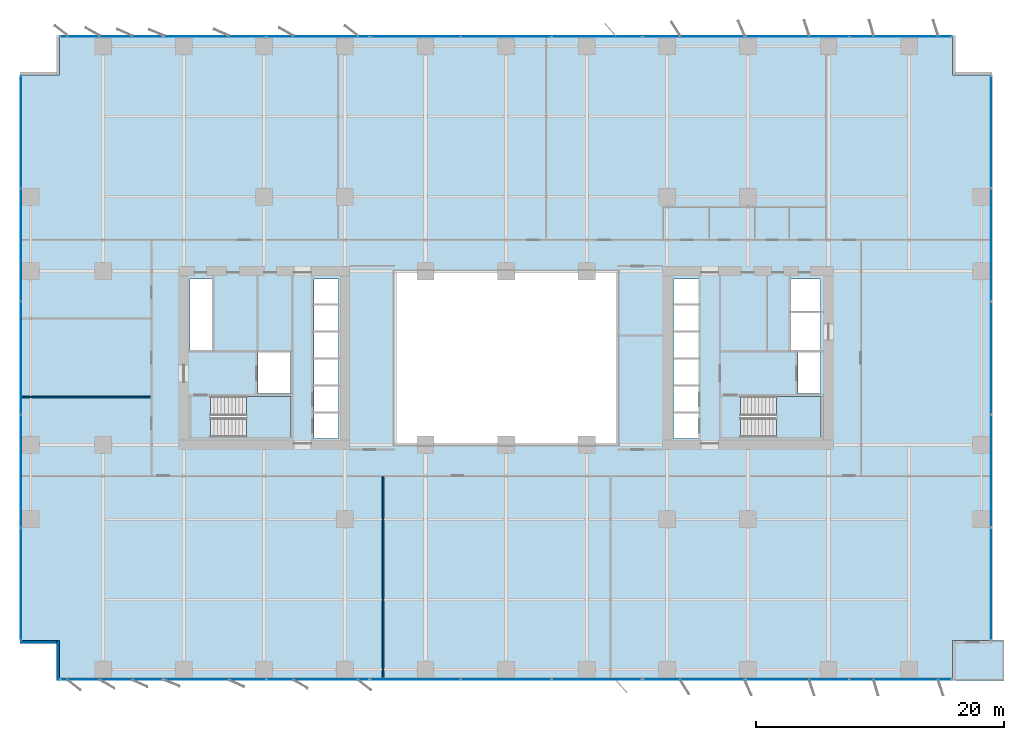
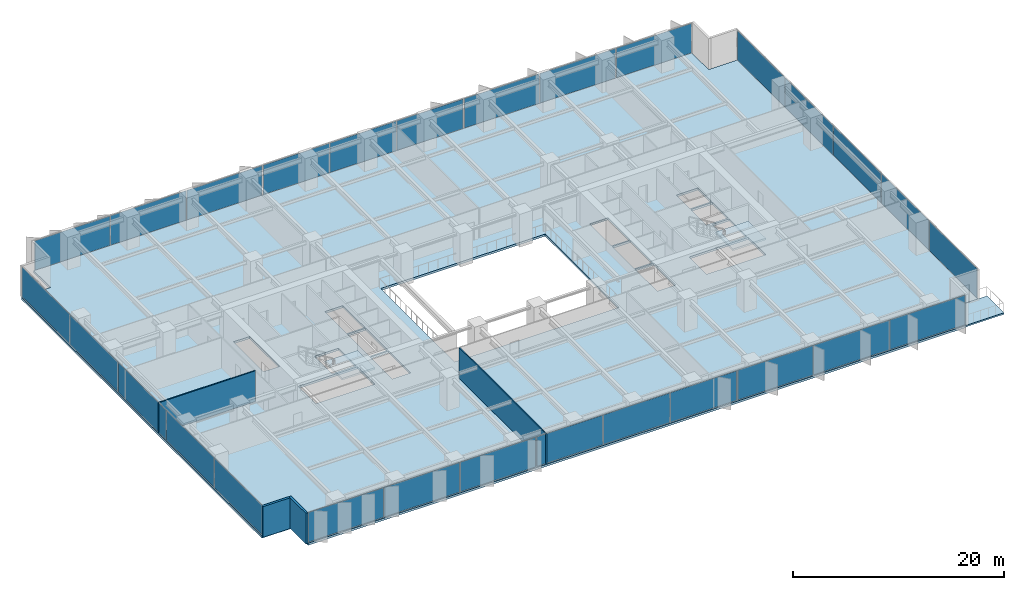
# One storey, part 12 of 20: 28 plates, 4 slabs, 4 walls, 10 elements without a shape of their own.
"""IFC4 building model written with IfcOpenShell, lengths in metres."""

from ifc_helpers import new_model, si_unit, direction, frame, frame_2d, origin, origin_2d, place, context, subcontext, project, spatial, polyline, rectangle, outline, extrude, material, layer, layer_set, type_object, element, aggregate, save


model = new_model("IFC4")

# Units and contexts
model_context = context("Model", 3, precision=1e-05, world=origin(), true_north=direction((0.0, 1.0)))
body_context = subcontext(model_context, "Body", "Model", "MODEL_VIEW")
ifc_project = project(units=[si_unit("LENGTHUNIT", "METRE"), si_unit("AREAUNIT", "SQUARE_METRE"), si_unit("VOLUMEUNIT", "CUBIC_METRE"), si_unit("PLANEANGLEUNIT", "RADIAN"), si_unit("MASSUNIT", "GRAM", prefix="KILO")], contexts=[model_context])

# Site, building, storey
site_placement = place(None, origin())
site = spatial("IfcSite", under=ifc_project, at=site_placement, CompositionType="ELEMENT")
building_placement = place(site_placement, origin())
building = spatial("IfcBuilding", under=site, at=building_placement, Name="Putna Gate Headquarters", CompositionType="ELEMENT")
storey_placement = place(building_placement, frame((0.0, 0.0, 54.39990234375)))
storey = spatial("IfcBuildingStorey", under=building, at=storey_placement, Name="L12", CompositionType="ELEMENT", Elevation=54.39990234375)

# Stair, slab
ifc_material_1 = material(Name="Concrete C40/50", Category="concrete")
stair_type_1 = type_object("IfcStairType", Name="STAIR-ST1", PredefinedType="HALF_TURN_STAIR", material=ifc_material_1)
stair_1_placement = place(storey_placement, origin())
stair_1 = element("IfcStair", 1, at=stair_1_placement, inside=storey, type_object=stair_type_1, Name="L12 West Core Exit Stair ST1", PredefinedType="HALF_TURN_STAIR")
ifc_layer_1 = layer(ifc_material_1, 0.199951171875)
ifc_layer_set_1 = layer_set([ifc_layer_1], Name="Concrete C40/50")
slab_type_1 = type_object("IfcSlabType", Name="LANDING-ST1", PredefinedType="LANDING", material=ifc_layer_set_1)
slab_1_placement = place(storey_placement, frame((0.0, 0.0, 1.7001953125)))
slab_1 = element("IfcSlab", 2, at=slab_1_placement, type_object=slab_type_1, Name="ST1 landing 1", PredefinedType="LANDING", context=body_context, shape_type="SweptSolid", body=[
    extrude(outline(polyline([(18.050048828125, 19.60009765625), (21.64990234375, 19.60009765625), (21.64990234375, 22.89990234375), (18.050048828125, 22.89990234375), (18.050048828125, 19.60009765625)])), origin(), (0.0, 0.0, 1.0), 0.199951171875),
])
aggregate(stair_1, [slab_1])

stair_type_2 = type_object("IfcStairType", Name="STAIR-ST2", PredefinedType="HALF_TURN_STAIR", material=ifc_material_1)
stair_2_placement = place(storey_placement, origin())
stair_2 = element("IfcStair", 3, at=stair_2_placement, inside=storey, type_object=stair_type_2, Name="L12 East Core Exit Stair ST2", PredefinedType="HALF_TURN_STAIR")
ifc_layer_2 = layer(ifc_material_1, 0.199951171875)
ifc_layer_set_2 = layer_set([ifc_layer_2], Name="Concrete C40/50")
slab_type_2 = type_object("IfcSlabType", Name="LANDING-ST2", PredefinedType="LANDING", material=ifc_layer_set_2)
slab_2_placement = place(storey_placement, frame((0.0, 0.0, 1.7001953125)))
slab_2 = element("IfcSlab", 4, at=slab_2_placement, type_object=slab_type_2, Name="ST2 landing 1", PredefinedType="LANDING", context=body_context, shape_type="SweptSolid", body=[
    extrude(outline(polyline([(60.800048828125, 19.60009765625), (64.39990234375, 19.60009765625), (64.39990234375, 22.89990234375), (60.800048828125, 22.89990234375), (60.800048828125, 19.60009765625)])), origin(), (0.0, 0.0, 1.0), 0.199951171875),
])
aggregate(stair_2, [slab_2])

# Curtain wall, plates
ifc_material_2 = material(Name="Anodised bronze aluminium curtain wall", Category="aluminium")
ifc_layer_3 = layer(ifc_material_2, 0.179931640625)
ifc_layer_set_3 = layer_set([ifc_layer_3], Name="Anodised bronze aluminium curtain wall")
curtain_wall_type_1 = type_object("IfcCurtainWallType", Name="CW-SYS-Z1", PredefinedType="USERDEFINED", material=ifc_layer_set_3)
curtain_wall_1_placement = place(storey_placement, origin())
curtain_wall_1 = element("IfcCurtainWall", 5, at=curtain_wall_1_placement, inside=storey, type_object=curtain_wall_type_1, Name="L12 South West Curtain Wall", ObjectType="STICK CURTAIN WALL", PredefinedType="USERDEFINED")
ifc_material_3 = material(Name="Solar-control triple low-E glass", Category="glass")
ifc_layer_4 = layer(ifc_material_3, 0.031982421875)
ifc_layer_set_4 = layer_set([ifc_layer_4], Name="Solar-control triple low-E glass")
plate_type_1 = type_object("IfcPlateType", Name="PAN-CWP-1", PredefinedType="CURTAIN_PANEL", material=ifc_layer_set_4)
plate_1_placement = place(storey_placement, frame((7.18408203125, 0.080078125, 0.065185546875), z_axis=(0.0, 0.0, 1.0), x_axis=(1.0, 0.0, 0.0)))
plate_1 = element("IfcPlate", 6, at=plate_1_placement, type_object=plate_type_1, Name="CWS-1 panel 1.1", PredefinedType="CURTAIN_PANEL", context=body_context, shape_type="SweptSolid", body=[
    extrude(rectangle(XDim=8.228271484375, YDim=0.031982421875, at=origin_2d()), origin(), (0.0, 0.0, 1.0), 3.419921875),
])
plate_2_placement = place(storey_placement, frame((15.5, 0.080078125, 0.065185546875), z_axis=(0.0, 0.0, 1.0), x_axis=(1.0, 0.0, 0.0)))
plate_2 = element("IfcPlate", 7, at=plate_2_placement, type_object=plate_type_1, Name="CWS-1 panel 2.1", PredefinedType="CURTAIN_PANEL", context=body_context, shape_type="SweptSolid", body=[
    extrude(rectangle(XDim=8.263427734375, YDim=0.031982421875, at=origin_2d()), origin(), (0.0, 0.0, 1.0), 3.419921875),
])
plate_3_placement = place(storey_placement, frame((23.81591796875, 0.080078125, 0.065185546875), z_axis=(0.0, 0.0, 1.0), x_axis=(1.0, 0.0, 0.0)))
plate_3 = element("IfcPlate", 8, at=plate_3_placement, type_object=plate_type_1, Name="CWS-1 panel 3.1", PredefinedType="CURTAIN_PANEL", context=body_context, shape_type="SweptSolid", body=[
    extrude(rectangle(XDim=8.228271484375, YDim=0.031982421875, at=origin_2d()), origin(), (0.0, 0.0, 1.0), 3.419921875),
])
aggregate(curtain_wall_1, [plate_1, plate_2, plate_3])

curtain_wall_2_placement = place(storey_placement, origin())
curtain_wall_2 = element("IfcCurtainWall", 9, at=curtain_wall_2_placement, inside=storey, type_object=curtain_wall_type_1, Name="L12 South East Curtain Wall", ObjectType="STICK CURTAIN WALL", PredefinedType="USERDEFINED")
plate_4_placement = place(storey_placement, frame((54.18408203125, 0.080078125, 0.065185546875), z_axis=(0.0, 0.0, 1.0), x_axis=(1.0, 0.0, 0.0)))
plate_4 = element("IfcPlate", 10, at=plate_4_placement, type_object=plate_type_1, Name="CWS-1 panel 1.1", PredefinedType="CURTAIN_PANEL", context=body_context, shape_type="SweptSolid", body=[
    extrude(rectangle(XDim=8.228271484375, YDim=0.031982421875, at=origin_2d()), origin(), (0.0, 0.0, 1.0), 3.419921875),
])
plate_5_placement = place(storey_placement, frame((62.5, 0.080078125, 0.065185546875), z_axis=(0.0, 0.0, 1.0), x_axis=(1.0, 0.0, 0.0)))
plate_5 = element("IfcPlate", 11, at=plate_5_placement, type_object=plate_type_1, Name="CWS-1 panel 2.1", PredefinedType="CURTAIN_PANEL", context=body_context, shape_type="SweptSolid", body=[
    extrude(rectangle(XDim=8.263427734375, YDim=0.031982421875, at=origin_2d()), origin(), (0.0, 0.0, 1.0), 3.419921875),
])
plate_6_placement = place(storey_placement, frame((70.81591796875, 0.080078125, 0.065185546875), z_axis=(0.0, 0.0, 1.0), x_axis=(1.0, 0.0, 0.0)))
plate_6 = element("IfcPlate", 12, at=plate_6_placement, type_object=plate_type_1, Name="CWS-1 panel 3.1", PredefinedType="CURTAIN_PANEL", context=body_context, shape_type="SweptSolid", body=[
    extrude(rectangle(XDim=8.228271484375, YDim=0.031982421875, at=origin_2d()), origin(), (0.0, 0.0, 1.0), 3.419921875),
])
aggregate(curtain_wall_2, [plate_4, plate_5, plate_6])

curtain_wall_3_placement = place(storey_placement, origin())
curtain_wall_3 = element("IfcCurtainWall", 13, at=curtain_wall_3_placement, inside=storey, type_object=curtain_wall_type_1, Name="L12 North West Curtain Wall", ObjectType="STICK CURTAIN WALL", PredefinedType="USERDEFINED")
plate_7_placement = place(storey_placement, frame((7.18408203125, 51.919921875, 0.065185546875), z_axis=(0.0, 0.0, 1.0), x_axis=(1.0, 0.0, 0.0)))
plate_7 = element("IfcPlate", 14, at=plate_7_placement, type_object=plate_type_1, Name="CWS-1 panel 1.1", PredefinedType="CURTAIN_PANEL", context=body_context, shape_type="SweptSolid", body=[
    extrude(rectangle(XDim=8.228271484375, YDim=0.031982421875, at=origin_2d()), origin(), (0.0, 0.0, 1.0), 3.419921875),
])
plate_8_placement = place(storey_placement, frame((15.5, 51.919921875, 0.065185546875), z_axis=(0.0, 0.0, 1.0), x_axis=(1.0, 0.0, 0.0)))
plate_8 = element("IfcPlate", 15, at=plate_8_placement, type_object=plate_type_1, Name="CWS-1 panel 2.1", PredefinedType="CURTAIN_PANEL", context=body_context, shape_type="SweptSolid", body=[
    extrude(rectangle(XDim=8.263427734375, YDim=0.031982421875, at=origin_2d()), origin(), (0.0, 0.0, 1.0), 3.419921875),
])
plate_9_placement = place(storey_placement, frame((23.81591796875, 51.919921875, 0.065185546875), z_axis=(0.0, 0.0, 1.0), x_axis=(1.0, 0.0, 0.0)))
plate_9 = element("IfcPlate", 16, at=plate_9_placement, type_object=plate_type_1, Name="CWS-1 panel 3.1", PredefinedType="CURTAIN_PANEL", context=body_context, shape_type="SweptSolid", body=[
    extrude(rectangle(XDim=8.228271484375, YDim=0.031982421875, at=origin_2d()), origin(), (0.0, 0.0, 1.0), 3.419921875),
])
aggregate(curtain_wall_3, [plate_7, plate_8, plate_9])

curtain_wall_4_placement = place(storey_placement, origin())
curtain_wall_4 = element("IfcCurtainWall", 17, at=curtain_wall_4_placement, inside=storey, type_object=curtain_wall_type_1, Name="L12 North East Curtain Wall", ObjectType="STICK CURTAIN WALL", PredefinedType="USERDEFINED")
plate_10_placement = place(storey_placement, frame((54.18408203125, 51.919921875, 0.065185546875), z_axis=(0.0, 0.0, 1.0), x_axis=(1.0, 0.0, 0.0)))
plate_10 = element("IfcPlate", 18, at=plate_10_placement, type_object=plate_type_1, Name="CWS-1 panel 1.1", PredefinedType="CURTAIN_PANEL", context=body_context, shape_type="SweptSolid", body=[
    extrude(rectangle(XDim=8.228271484375, YDim=0.031982421875, at=origin_2d()), origin(), (0.0, 0.0, 1.0), 3.419921875),
])
plate_11_placement = place(storey_placement, frame((62.5, 51.919921875, 0.065185546875), z_axis=(0.0, 0.0, 1.0), x_axis=(1.0, 0.0, 0.0)))
plate_11 = element("IfcPlate", 19, at=plate_11_placement, type_object=plate_type_1, Name="CWS-1 panel 2.1", PredefinedType="CURTAIN_PANEL", context=body_context, shape_type="SweptSolid", body=[
    extrude(rectangle(XDim=8.263427734375, YDim=0.031982421875, at=origin_2d()), origin(), (0.0, 0.0, 1.0), 3.419921875),
])
plate_12_placement = place(storey_placement, frame((70.81591796875, 51.919921875, 0.065185546875), z_axis=(0.0, 0.0, 1.0), x_axis=(1.0, 0.0, 0.0)))
plate_12 = element("IfcPlate", 20, at=plate_12_placement, type_object=plate_type_1, Name="CWS-1 panel 3.1", PredefinedType="CURTAIN_PANEL", context=body_context, shape_type="SweptSolid", body=[
    extrude(rectangle(XDim=8.228271484375, YDim=0.031982421875, at=origin_2d()), origin(), (0.0, 0.0, 1.0), 3.419921875),
])
aggregate(curtain_wall_4, [plate_10, plate_11, plate_12])

curtain_wall_5_placement = place(storey_placement, origin())
curtain_wall_5 = element("IfcCurtainWall", 21, at=curtain_wall_5_placement, inside=storey, type_object=curtain_wall_type_1, Name="L12 West Curtain Wall", ObjectType="STICK CURTAIN WALL", PredefinedType="USERDEFINED")
plate_13_placement = place(storey_placement, frame((-0.1201171875, 7.777587890625, 0.065185546875), z_axis=(0.0, 0.0, 1.0), x_axis=(0.0, 1.0, 0.0)))
plate_13 = element("IfcPlate", 22, at=plate_13_placement, type_object=plate_type_1, Name="CWS-1 panel 1.1", PredefinedType="CURTAIN_PANEL", context=body_context, shape_type="SweptSolid", body=[
    extrude(rectangle(XDim=9.014892578125, YDim=0.031982421875, at=origin_2d()), origin(), (0.0, 0.0, 1.0), 3.419921875),
])
plate_14_placement = place(storey_placement, frame((-0.1201171875, 16.8798828125, 0.065185546875), z_axis=(0.0, 0.0, 1.0), x_axis=(0.0, 1.0, 0.0)))
plate_14 = element("IfcPlate", 23, at=plate_14_placement, type_object=plate_type_1, Name="CWS-1 panel 2.1", PredefinedType="CURTAIN_PANEL", context=body_context, shape_type="SweptSolid", body=[
    extrude(rectangle(XDim=9.050048828125, YDim=0.031982421875, at=origin_2d()), origin(), (0.0, 0.0, 1.0), 3.419921875),
])
plate_15_placement = place(storey_placement, frame((-0.1201171875, 26.0, 0.065185546875), z_axis=(0.0, 0.0, 1.0), x_axis=(0.0, 1.0, 0.0)))
plate_15 = element("IfcPlate", 24, at=plate_15_placement, type_object=plate_type_1, Name="CWS-1 panel 3.1", PredefinedType="CURTAIN_PANEL", context=body_context, shape_type="SweptSolid", body=[
    extrude(rectangle(XDim=9.050048828125, YDim=0.031982421875, at=origin_2d()), origin(), (0.0, 0.0, 1.0), 3.419921875),
])
plate_16_placement = place(storey_placement, frame((-0.1201171875, 35.1201171875, 0.065185546875), z_axis=(0.0, 0.0, 1.0), x_axis=(0.0, 1.0, 0.0)))
plate_16 = element("IfcPlate", 25, at=plate_16_placement, type_object=plate_type_1, Name="CWS-1 panel 4.1", PredefinedType="CURTAIN_PANEL", context=body_context, shape_type="SweptSolid", body=[
    extrude(rectangle(XDim=9.050048828125, YDim=0.031982421875, at=origin_2d()), origin(), (0.0, 0.0, 1.0), 3.419921875),
])
plate_17_placement = place(storey_placement, frame((-0.1201171875, 44.222412109375, 0.065185546875), z_axis=(0.0, 0.0, 1.0), x_axis=(0.0, 1.0, 0.0)))
plate_17 = element("IfcPlate", 26, at=plate_17_placement, type_object=plate_type_1, Name="CWS-1 panel 5.1", PredefinedType="CURTAIN_PANEL", context=body_context, shape_type="SweptSolid", body=[
    extrude(rectangle(XDim=9.014892578125, YDim=0.031982421875, at=origin_2d()), origin(), (0.0, 0.0, 1.0), 3.419921875),
])
aggregate(curtain_wall_5, [plate_13, plate_14, plate_15, plate_16, plate_17])

curtain_wall_6_placement = place(storey_placement, origin())
curtain_wall_6 = element("IfcCurtainWall", 27, at=curtain_wall_6_placement, inside=storey, type_object=curtain_wall_type_1, Name="L12 East Curtain Wall", ObjectType="STICK CURTAIN WALL", PredefinedType="USERDEFINED")
plate_18_placement = place(storey_placement, frame((78.1201171875, 7.777587890625, 0.065185546875), z_axis=(0.0, 0.0, 1.0), x_axis=(0.0, 1.0, 0.0)))
plate_18 = element("IfcPlate", 28, at=plate_18_placement, type_object=plate_type_1, Name="CWS-1 panel 1.1", PredefinedType="CURTAIN_PANEL", context=body_context, shape_type="SweptSolid", body=[
    extrude(rectangle(XDim=9.014892578125, YDim=0.031982421875, at=origin_2d()), origin(), (0.0, 0.0, 1.0), 3.419921875),
])
plate_19_placement = place(storey_placement, frame((78.1201171875, 16.8798828125, 0.065185546875), z_axis=(0.0, 0.0, 1.0), x_axis=(0.0, 1.0, 0.0)))
plate_19 = element("IfcPlate", 29, at=plate_19_placement, type_object=plate_type_1, Name="CWS-1 panel 2.1", PredefinedType="CURTAIN_PANEL", context=body_context, shape_type="SweptSolid", body=[
    extrude(rectangle(XDim=9.050048828125, YDim=0.031982421875, at=origin_2d()), origin(), (0.0, 0.0, 1.0), 3.419921875),
])
plate_20_placement = place(storey_placement, frame((78.1201171875, 26.0, 0.065185546875), z_axis=(0.0, 0.0, 1.0), x_axis=(0.0, 1.0, 0.0)))
plate_20 = element("IfcPlate", 30, at=plate_20_placement, type_object=plate_type_1, Name="CWS-1 panel 3.1", PredefinedType="CURTAIN_PANEL", context=body_context, shape_type="SweptSolid", body=[
    extrude(rectangle(XDim=9.050048828125, YDim=0.031982421875, at=origin_2d()), origin(), (0.0, 0.0, 1.0), 3.419921875),
])
plate_21_placement = place(storey_placement, frame((78.1201171875, 35.1201171875, 0.065185546875), z_axis=(0.0, 0.0, 1.0), x_axis=(0.0, 1.0, 0.0)))
plate_21 = element("IfcPlate", 31, at=plate_21_placement, type_object=plate_type_1, Name="CWS-1 panel 4.1", PredefinedType="CURTAIN_PANEL", context=body_context, shape_type="SweptSolid", body=[
    extrude(rectangle(XDim=9.050048828125, YDim=0.031982421875, at=origin_2d()), origin(), (0.0, 0.0, 1.0), 3.419921875),
])
plate_22_placement = place(storey_placement, frame((78.1201171875, 44.222412109375, 0.065185546875), z_axis=(0.0, 0.0, 1.0), x_axis=(0.0, 1.0, 0.0)))
plate_22 = element("IfcPlate", 32, at=plate_22_placement, type_object=plate_type_1, Name="CWS-1 panel 5.1", PredefinedType="CURTAIN_PANEL", context=body_context, shape_type="SweptSolid", body=[
    extrude(rectangle(XDim=9.014892578125, YDim=0.031982421875, at=origin_2d()), origin(), (0.0, 0.0, 1.0), 3.419921875),
])
aggregate(curtain_wall_6, [plate_18, plate_19, plate_20, plate_21, plate_22])

ifc_layer_5 = layer(ifc_material_2, 0.179931640625)
ifc_layer_set_5 = layer_set([ifc_layer_5], Name="Anodised bronze aluminium curtain wall")
curtain_wall_type_2 = type_object("IfcCurtainWallType", Name="CW-SYS-ATR", PredefinedType="USERDEFINED", material=ifc_layer_set_5)
curtain_wall_7_placement = place(storey_placement, origin())
curtain_wall_7 = element("IfcCurtainWall", 33, at=curtain_wall_7_placement, inside=storey, type_object=curtain_wall_type_2, Name="L12 South Atrium Clear Glazing", ObjectType="ATRIUM GLAZING", PredefinedType="USERDEFINED")
ifc_material_4 = material(Name="Clear low-iron triple glazing", Category="glass")
ifc_layer_6 = layer(ifc_material_4, 0.0400390625)
ifc_layer_set_6 = layer_set([ifc_layer_6], Name="Clear low-iron triple glazing")
plate_type_2 = type_object("IfcPlateType", Name="PAN-CWP-AT", PredefinedType="CURTAIN_PANEL", material=ifc_layer_set_6)
plate_23_placement = place(storey_placement, frame((31.68408203125, 0.080078125, 0.0703125), z_axis=(0.0, 0.0, 1.0), x_axis=(1.0, 0.0, 0.0)))
plate_23 = element("IfcPlate", 34, at=plate_23_placement, type_object=plate_type_2, Name="CWS-AT panel 1.1", PredefinedType="CURTAIN_PANEL", context=body_context, shape_type="SweptSolid", body=[
    extrude(rectangle(XDim=7.228271484375, YDim=0.0400390625, at=origin_2d()), origin(), (0.0, 0.0, 1.0), 3.409912109375),
])
plate_24_placement = place(storey_placement, frame((39.0, 0.080078125, 0.0703125), z_axis=(0.0, 0.0, 1.0), x_axis=(1.0, 0.0, 0.0)))
plate_24 = element("IfcPlate", 35, at=plate_24_placement, type_object=plate_type_2, Name="CWS-AT panel 2.1", PredefinedType="CURTAIN_PANEL", context=body_context, shape_type="SweptSolid", body=[
    extrude(rectangle(XDim=7.263427734375, YDim=0.0400390625, at=origin_2d()), origin(), (0.0, 0.0, 1.0), 3.409912109375),
])
plate_25_placement = place(storey_placement, frame((46.31591796875, 0.080078125, 0.0703125), z_axis=(0.0, 0.0, 1.0), x_axis=(1.0, 0.0, 0.0)))
plate_25 = element("IfcPlate", 36, at=plate_25_placement, type_object=plate_type_2, Name="CWS-AT panel 3.1", PredefinedType="CURTAIN_PANEL", context=body_context, shape_type="SweptSolid", body=[
    extrude(rectangle(XDim=7.228271484375, YDim=0.0400390625, at=origin_2d()), origin(), (0.0, 0.0, 1.0), 3.409912109375),
])
aggregate(curtain_wall_7, [plate_23, plate_24, plate_25])

curtain_wall_8_placement = place(storey_placement, origin())
curtain_wall_8 = element("IfcCurtainWall", 37, at=curtain_wall_8_placement, inside=storey, type_object=curtain_wall_type_2, Name="L12 North Atrium Clear Glazing", ObjectType="ATRIUM GLAZING", PredefinedType="USERDEFINED")
plate_26_placement = place(storey_placement, frame((31.68408203125, 51.919921875, 0.0703125), z_axis=(0.0, 0.0, 1.0), x_axis=(1.0, 0.0, 0.0)))
plate_26 = element("IfcPlate", 38, at=plate_26_placement, type_object=plate_type_2, Name="CWS-AT panel 1.1", PredefinedType="CURTAIN_PANEL", context=body_context, shape_type="SweptSolid", body=[
    extrude(rectangle(XDim=7.228271484375, YDim=0.0400390625, at=origin_2d()), origin(), (0.0, 0.0, 1.0), 3.409912109375),
])
plate_27_placement = place(storey_placement, frame((39.0, 51.919921875, 0.0703125), z_axis=(0.0, 0.0, 1.0), x_axis=(1.0, 0.0, 0.0)))
plate_27 = element("IfcPlate", 39, at=plate_27_placement, type_object=plate_type_2, Name="CWS-AT panel 2.1", PredefinedType="CURTAIN_PANEL", context=body_context, shape_type="SweptSolid", body=[
    extrude(rectangle(XDim=7.263427734375, YDim=0.0400390625, at=origin_2d()), origin(), (0.0, 0.0, 1.0), 3.409912109375),
])
plate_28_placement = place(storey_placement, frame((46.31591796875, 51.919921875, 0.0703125), z_axis=(0.0, 0.0, 1.0), x_axis=(1.0, 0.0, 0.0)))
plate_28 = element("IfcPlate", 40, at=plate_28_placement, type_object=plate_type_2, Name="CWS-AT panel 3.1", PredefinedType="CURTAIN_PANEL", context=body_context, shape_type="SweptSolid", body=[
    extrude(rectangle(XDim=7.228271484375, YDim=0.0400390625, at=origin_2d()), origin(), (0.0, 0.0, 1.0), 3.409912109375),
])
aggregate(curtain_wall_8, [plate_26, plate_27, plate_28])

# Slabs
ifc_layer_7 = layer(ifc_material_1, 0.179931640625)
ifc_layer_set_7 = layer_set([ifc_layer_7], Name="Concrete C40/50")
slab_type_3 = type_object("IfcSlabType", Name="SLAB-TERRACE-180", PredefinedType="FLOOR", material=ifc_layer_set_7)
slab_3_placement = place(storey_placement, frame((0.0, 0.0, -0.179931640625)))
element("IfcSlab", 41, at=slab_3_placement, inside=storey, type_object=slab_type_3, Name="L12 Spiral Sky-Garden Terrace Slab (SE)", PredefinedType="FLOOR", context=body_context, shape_type="SweptSolid", body=[
    extrude(outline(polyline([(74.991943359375, 0.0), (79.14990234375, 0.0), (79.14990234375, 3.2080078125), (74.991943359375, 3.2080078125), (74.991943359375, 0.0)])), origin(), (0.0, 0.0, 1.0), 0.179931640625),
])
ifc_layer_8 = layer(ifc_material_1, 0.25)
ifc_layer_set_8 = layer_set([ifc_layer_8], Name="Concrete C40/50")
slab_type_4 = type_object("IfcSlabType", Name="SLAB-Z1-250", PredefinedType="FLOOR", material=ifc_layer_set_8)
slab_4_placement = place(storey_placement, frame((0.0, 0.0, -0.25)))
element("IfcSlab", 42, at=slab_4_placement, inside=storey, type_object=slab_type_4, Name="L12 Composite Floor Slab", PredefinedType="FLOOR", context=body_context, shape_type="SweptSolid", body=[
    extrude(outline(polyline([(3.0, 0.0), (75.0, 0.0), (75.0, 3.199951171875), (78.199951171875, 3.199951171875), (78.199951171875, 48.800048828125), (75.0, 48.800048828125), (75.0, 52.0), (3.0, 52.0), (3.0, 48.800048828125), (-0.199951171875, 48.800048828125), (-0.199951171875, 3.199951171875), (3.0, 3.199951171875), (3.0, 0.0)]), holes=[polyline([(15.1650390625, 19.60009765625), (21.64990234375, 19.60009765625), (21.64990234375, 22.89990234375), (15.1650390625, 22.89990234375), (15.1650390625, 19.60009765625)]), polyline([(57.9150390625, 19.60009765625), (64.39990234375, 19.60009765625), (64.39990234375, 22.89990234375), (57.9150390625, 22.89990234375), (57.9150390625, 19.60009765625)]), polyline([(13.52001953125, 26.659912109375), (15.280029296875, 26.659912109375), (15.280029296875, 32.35009765625), (13.52001953125, 32.35009765625), (13.52001953125, 26.659912109375)]), polyline([(61.969970703125, 29.780029296875), (64.35009765625, 29.780029296875), (64.35009765625, 32.35009765625), (61.969970703125, 32.35009765625), (61.969970703125, 29.780029296875)]), polyline([(18.97998046875, 23.1201171875), (21.6201171875, 23.1201171875), (21.6201171875, 26.4599609375), (18.97998046875, 26.4599609375), (18.97998046875, 23.1201171875)]), polyline([(62.52001953125, 23.1201171875), (64.35009765625, 23.1201171875), (64.35009765625, 26.4599609375), (62.52001953125, 26.4599609375), (62.52001953125, 23.1201171875)]), polyline([(61.969970703125, 26.659912109375), (64.35009765625, 26.659912109375), (64.35009765625, 29.6201171875), (61.969970703125, 29.6201171875), (61.969970703125, 26.659912109375)]), polyline([(23.5, 19.52001953125), (25.5, 19.52001953125), (25.5, 23.699951171875), (23.5, 23.699951171875), (23.5, 19.52001953125)]), polyline([(52.47998046875, 19.52001953125), (54.5, 19.52001953125), (54.5, 23.699951171875), (52.47998046875, 23.699951171875), (52.47998046875, 19.52001953125)]), polyline([(23.5, 23.860107421875), (25.5, 23.860107421875), (25.5, 28.0400390625), (23.5, 28.0400390625), (23.5, 23.860107421875)]), polyline([(52.47998046875, 23.860107421875), (54.5, 23.860107421875), (54.5, 28.0400390625), (52.47998046875, 28.0400390625), (52.47998046875, 23.860107421875)]), polyline([(23.5, 28.199951171875), (25.5, 28.199951171875), (25.5, 32.35009765625), (23.5, 32.35009765625), (23.5, 28.199951171875)]), polyline([(52.47998046875, 28.199951171875), (54.5, 28.199951171875), (54.5, 32.35009765625), (52.47998046875, 32.35009765625), (52.47998046875, 28.199951171875)]), polyline([(30.0, 19.0), (48.0, 19.0), (48.0, 33.0), (30.0, 33.0), (30.0, 19.0)])]), origin(), (0.0, 0.0, 1.0), 0.25),
])

# Walls
ifc_material_5 = material(Name="Precast concrete C40/50", Category="concrete")
ifc_layer_9 = layer(ifc_material_5, 0.239990234375)
ifc_layer_set_9 = layer_set([ifc_layer_9], Name="Precast concrete C40/50")
wall_type_1 = type_object("IfcWallType", Name="WALL-EXT-TERR-240", PredefinedType="STANDARD", material=ifc_layer_set_9)
for number, where, z_axis, x_axis, name in (
    (43, (2.8798828125, 0.0, 0.0), (0.0, 0.0, 1.0), (0.0, 1.0, 0.0), "L12 Corner Notch Return Wall SW-V"),
    (44, (3.0, 3.080078125, 0.0), (0.0, 0.0, 1.0), (-1.0, 0.0, 0.0), "L12 Corner Notch Return Wall SW-H"),
):
    element("IfcWall", number, at=place(storey_placement, frame(where, z_axis=z_axis, x_axis=x_axis)), inside=storey, type_object=wall_type_1, Name=name, PredefinedType="STANDARD", context=body_context, shape_type="SweptSolid", body=[
        extrude(rectangle(XDim=3.199951171875, YDim=0.239990234375, at=frame_2d((1.60009765625, 0.0))), origin(), (0.0, 0.0, 1.0), 3.550048828125),
    ])
ifc_material_6 = material(Name="Acoustic gypsum board on metal stud")
ifc_layer_10 = layer(ifc_material_6, 0.1201171875)
ifc_layer_set_10 = layer_set([ifc_layer_10], Name="Acoustic gypsum board on metal stud")
wall_type_2 = type_object("IfcWallType", Name="WALL-PART-120", PredefinedType="PARTITIONING", material=ifc_layer_set_10)
wall_1_placement = place(storey_placement, frame((29.0810546875, 0.02001953125, 0.0), z_axis=(0.0, 0.0, 1.0), x_axis=(0.0, 1.0, 0.0)))
element("IfcWall", 45, at=wall_1_placement, inside=storey, type_object=wall_type_2, Name="L12 Interior Wall PART-L12-SB-DIV-01", PredefinedType="PARTITIONING", context=body_context, shape_type="SweptSolid", body=[
    extrude(rectangle(XDim=16.419921875, YDim=0.1201171875, at=frame_2d((8.2099609375, 0.0))), origin(), (0.0, 0.0, 1.0), 3.550048828125),
])
wall_2_placement = place(storey_placement, frame((-0.179931640625, 22.833251953125, 0.0), z_axis=(0.0, 0.0, 1.0), x_axis=(1.0, 0.0, 0.0)))
element("IfcWall", 46, at=wall_2_placement, inside=storey, type_object=wall_type_2, Name="L12 Interior Wall PART-L12-WW-DIV-1", PredefinedType="PARTITIONING", context=body_context, shape_type="SweptSolid", body=[
    extrude(rectangle(XDim=10.579833984375, YDim=0.1201171875, at=frame_2d((5.2900390625, 0.0))), origin(), (0.0, 0.0, 1.0), 3.550048828125),
])

save(model, "model.ifc")
